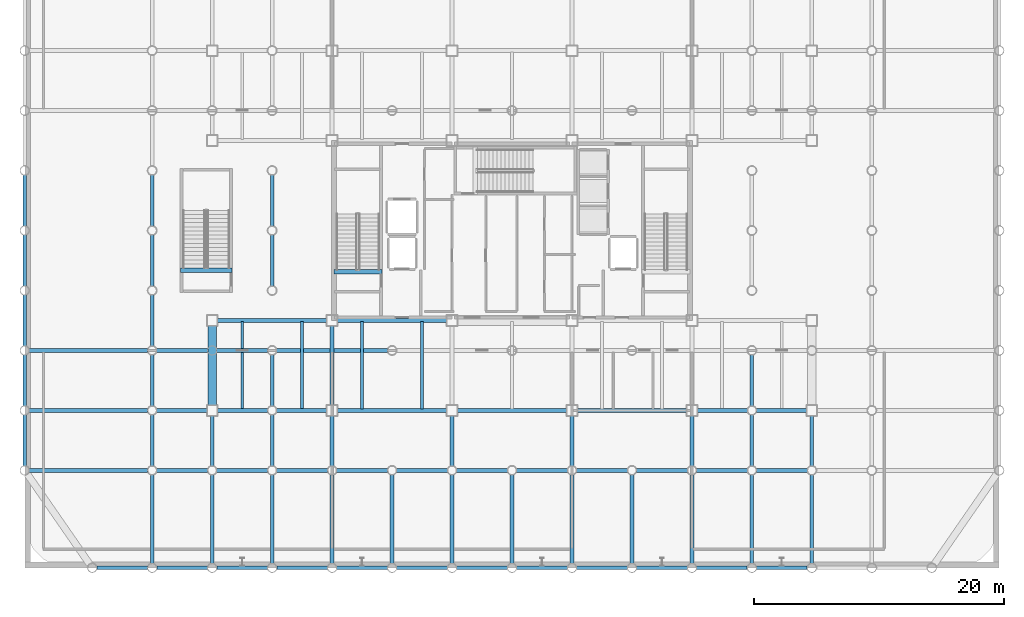
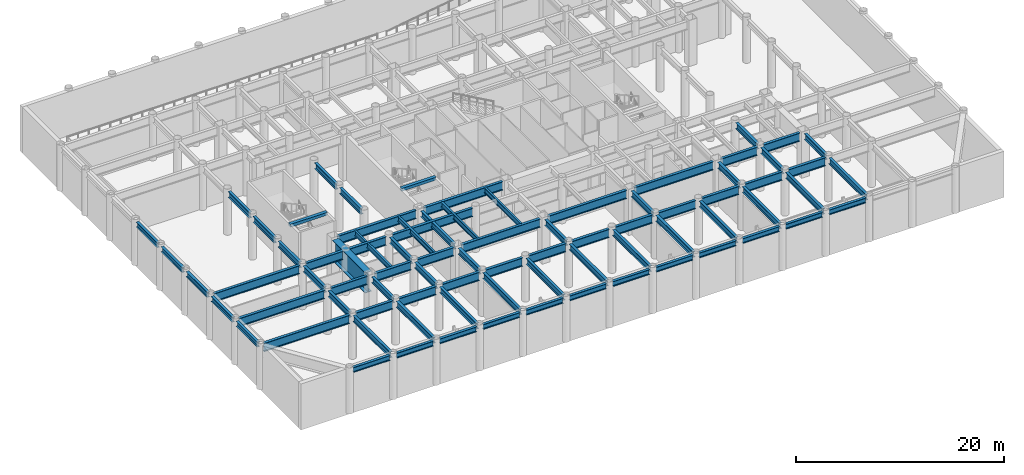
# One storey, part 5 of 16: 81 beams.
"""IFC4 building model written with IfcOpenShell, lengths in metres."""

from ifc_helpers import new_model, si_unit, direction, frame, origin, origin_2d, place, context, subcontext, project, spatial, rectangle, i_section, extrude, material, material_profile, profile_set, type_object, element, save


model = new_model("IFC4")

# Units and contexts
model_context = context("Model", 3, precision=1e-05, world=origin(), true_north=direction((0.0, 1.0)))
body_context = subcontext(model_context, "Body", "Model", "MODEL_VIEW")
ifc_project = project(units=[si_unit("LENGTHUNIT", "METRE"), si_unit("AREAUNIT", "SQUARE_METRE"), si_unit("VOLUMEUNIT", "CUBIC_METRE"), si_unit("PLANEANGLEUNIT", "RADIAN"), si_unit("MASSUNIT", "GRAM", prefix="KILO")], contexts=[model_context])

# Site, building, storey
site_placement = place(None, origin())
site = spatial("IfcSite", under=ifc_project, at=site_placement, CompositionType="ELEMENT")
building_placement = place(site_placement, origin())
building = spatial("IfcBuilding", under=site, at=building_placement, Name="Kallvorn Hotel Tower", CompositionType="ELEMENT")
storey_placement = place(building_placement, frame((0.0, 0.0, -5.39990234375)))
storey = spatial("IfcBuildingStorey", under=building, at=storey_placement, Name="B1", CompositionType="ELEMENT", Elevation=-5.39990234375)

# Beams
ifc_material_1 = material(Name="Structural steel S355JR", Category="steel")
ifc_material_profile_1 = material_profile(ifc_material_1, i_section(OverallWidth=0.300048828125, OverallDepth=1.0, WebThickness=0.01904296875, FlangeThickness=0.035888671875, at=origin_2d()), Name="HE 1000 B")
ifc_profile_set_1 = profile_set([ifc_material_profile_1], Name="Structural steel S355JR")
beam_type_1 = type_object("IfcBeamType", Name="BM_HE1000B", PredefinedType="BEAM", material=ifc_profile_set_1)
beam_1_placement = place(storey_placement, frame((-38.64404296875, -19.199951171875, 4.64990234375), z_axis=(1.0, 0.0, 0.0), x_axis=(0.0, 1.0, 0.0)))
element("IfcBeam", 1, at=beam_1_placement, inside=storey, type_object=beam_type_1, Name="L00 Primary X-Girder 03", PredefinedType="BEAM", context=body_context, shape_type="SweptSolid", body=[
    extrude(i_section(OverallWidth=0.300048828125, OverallDepth=1.0, WebThickness=0.01904296875, FlangeThickness=0.035888671875, at=origin_2d()), origin(), (0.0, 0.0, 1.0), 9.488037109375),
])
for number, where, z_axis, x_axis, name in (
    (2, (-28.444091796875, -19.199951171875, 4.64990234375), (1.0, 0.0, 0.0), (0.0, 1.0, 0.0), "L00 Primary X-Girder 04"),
    (3, (-23.64404296875, -19.199951171875, 4.64990234375), (1.0, 0.0, 0.0), (0.0, 1.0, 0.0), "L00 Primary X-Girder 05"),
):
    element("IfcBeam", number, at=place(storey_placement, frame(where, z_axis=z_axis, x_axis=x_axis)), inside=storey, type_object=beam_type_1, Name=name, PredefinedType="BEAM", context=body_context, shape_type="SweptSolid", body=[
        extrude(i_section(OverallWidth=0.300048828125, OverallDepth=1.0, WebThickness=0.01904296875, FlangeThickness=0.035888671875, at=origin_2d()), origin(), (0.0, 0.0, 1.0), 4.088134765625),
    ])
for number, where, z_axis, x_axis, name in (
    (4, (-18.843994140625, -19.199951171875, 4.64990234375), (1.0, 0.0, 0.0), (0.0, 1.0, 0.0), "L00 Primary X-Girder 06"),
    (5, (-14.0439453125, -19.199951171875, 4.64990234375), (1.0, 0.0, 0.0), (0.0, 1.0, 0.0), "L00 Primary X-Girder 07"),
    (6, (-9.243896484375, -19.199951171875, 4.64990234375), (1.0, 0.0, 0.0), (0.0, 1.0, 0.0), "L00 Primary X-Girder 08"),
):
    element("IfcBeam", number, at=place(storey_placement, frame(where, z_axis=z_axis, x_axis=x_axis)), inside=storey, type_object=beam_type_1, Name=name, PredefinedType="BEAM", context=body_context, shape_type="SweptSolid", body=[
        extrude(i_section(OverallWidth=0.300048828125, OverallDepth=1.0, WebThickness=0.01904296875, FlangeThickness=0.035888671875, at=origin_2d()), origin(), (0.0, 0.0, 1.0), 4.087890625),
    ])
for number, where, z_axis, x_axis, name in (
    (7, (-4.444091796875, -19.199951171875, 4.64990234375), (1.0, 0.0, 0.0), (0.0, 1.0, 0.0), "L00 Primary X-Girder 09"),
    (8, (0.35595703125, -19.199951171875, 4.64990234375), (1.0, 0.0, 0.0), (0.0, 1.0, 0.0), "L00 Primary X-Girder 10"),
):
    element("IfcBeam", number, at=place(storey_placement, frame(where, z_axis=z_axis, x_axis=x_axis)), inside=storey, type_object=beam_type_1, Name=name, PredefinedType="BEAM", context=body_context, shape_type="SweptSolid", body=[
        extrude(i_section(OverallWidth=0.300048828125, OverallDepth=1.0, WebThickness=0.01904296875, FlangeThickness=0.035888671875, at=origin_2d()), origin(), (0.0, 0.0, 1.0), 4.088134765625),
    ])
for number, where, z_axis, x_axis, name in (
    (9, (5.156005859375, -19.199951171875, 4.64990234375), (1.0, 0.0, 0.0), (0.0, 1.0, 0.0), "L00 Primary X-Girder 11"),
    (10, (9.9560546875, -19.199951171875, 4.64990234375), (1.0, 0.0, 0.0), (0.0, 1.0, 0.0), "L00 Primary X-Girder 12"),
    (11, (14.756103515625, -19.199951171875, 4.64990234375), (1.0, 0.0, 0.0), (0.0, 1.0, 0.0), "L00 Primary X-Girder 13"),
):
    element("IfcBeam", number, at=place(storey_placement, frame(where, z_axis=z_axis, x_axis=x_axis)), inside=storey, type_object=beam_type_1, Name=name, PredefinedType="BEAM", context=body_context, shape_type="SweptSolid", body=[
        extrude(i_section(OverallWidth=0.300048828125, OverallDepth=1.0, WebThickness=0.01904296875, FlangeThickness=0.035888671875, at=origin_2d()), origin(), (0.0, 0.0, 1.0), 4.087890625),
    ])
beam_2_placement = place(storey_placement, frame((19.555908203125, -19.199951171875, 4.64990234375), z_axis=(1.0, 0.0, 0.0), x_axis=(0.0, 1.0, 0.0)))
element("IfcBeam", 12, at=beam_2_placement, inside=storey, type_object=beam_type_1, Name="L00 Primary X-Girder 14", PredefinedType="BEAM", context=body_context, shape_type="SweptSolid", body=[
    extrude(i_section(OverallWidth=0.300048828125, OverallDepth=1.0, WebThickness=0.01904296875, FlangeThickness=0.035888671875, at=origin_2d()), origin(), (0.0, 0.0, 1.0), 4.088134765625),
])
beam_3_placement = place(storey_placement, frame((-38.64404296875, -14.39990234375, 4.64990234375), z_axis=(1.0, 0.0, 0.0), x_axis=(0.0, 1.0, 0.0)))
element("IfcBeam", 13, at=beam_3_placement, inside=storey, type_object=beam_type_1, Name="L00 Primary X-Girder 17", PredefinedType="BEAM", context=body_context, shape_type="SweptSolid", body=[
    extrude(i_section(OverallWidth=0.300048828125, OverallDepth=1.0, WebThickness=0.01904296875, FlangeThickness=0.035888671875, at=origin_2d()), origin(), (0.0, 0.0, 1.0), 9.488037109375),
])
for number, where, z_axis, x_axis, name in (
    (14, (-28.444091796875, -14.39990234375, 4.64990234375), (1.0, 0.0, 0.0), (0.0, 1.0, 0.0), "L00 Primary X-Girder 18"),
    (15, (-23.574951171875, -14.39990234375, 4.64990234375), (1.0, 0.0, 0.0), (0.0, 1.0, 0.0), "L00 Primary X-Girder 19"),
    (16, (-18.843994140625, -14.39990234375, 4.64990234375), (1.0, 0.0, 0.0), (0.0, 1.0, 0.0), "L00 Primary X-Girder 20"),
):
    element("IfcBeam", number, at=place(storey_placement, frame(where, z_axis=z_axis, x_axis=x_axis)), inside=storey, type_object=beam_type_1, Name=name, PredefinedType="BEAM", context=body_context, shape_type="SweptSolid", body=[
        extrude(i_section(OverallWidth=0.300048828125, OverallDepth=1.0, WebThickness=0.01904296875, FlangeThickness=0.035888671875, at=origin_2d()), origin(), (0.0, 0.0, 1.0), 4.01904296875),
    ])
for number, where, z_axis, x_axis, name in (
    (17, (-13.97509765625, -14.39990234375, 4.64990234375), (1.0, 0.0, 0.0), (0.0, 1.0, 0.0), "L00 Primary X-Girder 21"),
    (18, (-4.375, -14.39990234375, 4.64990234375), (1.0, 0.0, 0.0), (0.0, 1.0, 0.0), "L00 Primary X-Girder 22"),
    (19, (5.22509765625, -14.39990234375, 4.64990234375), (1.0, 0.0, 0.0), (0.0, 1.0, 0.0), "L00 Primary X-Girder 23"),
):
    element("IfcBeam", number, at=place(storey_placement, frame(where, z_axis=z_axis, x_axis=x_axis)), inside=storey, type_object=beam_type_1, Name=name, PredefinedType="BEAM", context=body_context, shape_type="SweptSolid", body=[
        extrude(i_section(OverallWidth=0.300048828125, OverallDepth=1.0, WebThickness=0.01904296875, FlangeThickness=0.035888671875, at=origin_2d()), origin(), (0.0, 0.0, 1.0), 8.75),
    ])
for number, where, z_axis, x_axis, name in (
    (20, (14.824951171875, -14.39990234375, 4.64990234375), (1.0, 0.0, 0.0), (0.0, 1.0, 0.0), "L00 Primary X-Girder 24"),
    (21, (19.555908203125, -14.39990234375, 4.64990234375), (1.0, 0.0, 0.0), (0.0, 1.0, 0.0), "L00 Primary X-Girder 25"),
):
    element("IfcBeam", number, at=place(storey_placement, frame(where, z_axis=z_axis, x_axis=x_axis)), inside=storey, type_object=beam_type_1, Name=name, PredefinedType="BEAM", context=body_context, shape_type="SweptSolid", body=[
        extrude(i_section(OverallWidth=0.300048828125, OverallDepth=1.0, WebThickness=0.01904296875, FlangeThickness=0.035888671875, at=origin_2d()), origin(), (0.0, 0.0, 1.0), 4.01904296875),
    ])
beam_4_placement = place(storey_placement, frame((-38.64404296875, -9.60009765625, 4.64990234375), z_axis=(1.0, 0.0, 0.0), x_axis=(0.0, 1.0, 0.0)))
element("IfcBeam", 22, at=beam_4_placement, inside=storey, type_object=beam_type_1, Name="L00 Primary X-Girder 28", PredefinedType="BEAM", context=body_context, shape_type="SweptSolid", body=[
    extrude(i_section(OverallWidth=0.300048828125, OverallDepth=1.0, WebThickness=0.01904296875, FlangeThickness=0.035888671875, at=origin_2d()), origin(), (0.0, 0.0, 1.0), 9.488037109375),
])
for number, where, z_axis, x_axis, name in (
    (23, (-28.444091796875, -9.60009765625, 4.64990234375), (1.0, 0.0, 0.0), (0.0, 1.0, 0.0), "L00 Primary X-Girder 29"),
    (24, (-23.64404296875, -9.60009765625, 4.64990234375), (1.0, 0.0, 0.0), (0.0, 1.0, 0.0), "L00 Primary X-Girder 30"),
):
    element("IfcBeam", number, at=place(storey_placement, frame(where, z_axis=z_axis, x_axis=x_axis)), inside=storey, type_object=beam_type_1, Name=name, PredefinedType="BEAM", context=body_context, shape_type="SweptSolid", body=[
        extrude(i_section(OverallWidth=0.300048828125, OverallDepth=1.0, WebThickness=0.01904296875, FlangeThickness=0.035888671875, at=origin_2d()), origin(), (0.0, 0.0, 1.0), 4.088134765625),
    ])
beam_5_placement = place(storey_placement, frame((-18.843994140625, -9.60009765625, 4.64990234375), z_axis=(1.0, 0.0, 0.0), x_axis=(0.0, 1.0, 0.0)))
element("IfcBeam", 25, at=beam_5_placement, inside=storey, type_object=beam_type_1, Name="L00 Primary X-Girder 31", PredefinedType="BEAM", context=body_context, shape_type="SweptSolid", body=[
    extrude(i_section(OverallWidth=0.300048828125, OverallDepth=1.0, WebThickness=0.01904296875, FlangeThickness=0.035888671875, at=origin_2d()), origin(), (0.0, 0.0, 1.0), 8.887939453125),
])
for number, where, z_axis, x_axis, name in (
    (26, (-23.574951171875, -7.199951171875, 4.64990234375), (1.0, 0.0, 0.0), (0.0, 1.0, 0.0), "L00 Primary X-Girder 38"),
    (27, (-13.97509765625, -7.199951171875, 4.64990234375), (1.0, 0.0, 0.0), (0.0, 1.0, 0.0), "L00 Primary X-Girder 39"),
):
    element("IfcBeam", number, at=place(storey_placement, frame(where, z_axis=z_axis, x_axis=x_axis)), inside=storey, type_object=beam_type_1, Name=name, PredefinedType="BEAM", context=body_context, shape_type="SweptSolid", body=[
        extrude(i_section(OverallWidth=0.300048828125, OverallDepth=1.0, WebThickness=0.01904296875, FlangeThickness=0.035888671875, at=origin_2d()), origin(), (0.0, 0.0, 1.0), 8.75),
    ])
ifc_material_2 = material(Name="Structural steel S355JR", Category="steel")
ifc_material_profile_2 = material_profile(ifc_material_2, i_section(OverallWidth=0.300048828125, OverallDepth=0.60009765625, WebThickness=0.015380859375, FlangeThickness=0.030029296875, at=origin_2d()), Name="HE 600 B")
ifc_profile_set_2 = profile_set([ifc_material_profile_2], Name="Structural steel S355JR")
beam_type_2 = type_object("IfcBeamType", Name="BM_HE600B", PredefinedType="SPANDREL", material=ifc_profile_set_2)
beam_6_placement = place(storey_placement, frame((-33.22900390625, -27.0, 4.849853515625), z_axis=(1.0, 0.0, 0.0), x_axis=(0.0, 1.0, 0.0)))
element("IfcBeam", 28, at=beam_6_placement, inside=storey, type_object=beam_type_2, Name="L00 Perimeter Spandrel 174", PredefinedType="SPANDREL", context=body_context, shape_type="SweptSolid", body=[
    extrude(i_section(OverallWidth=0.300048828125, OverallDepth=0.60009765625, WebThickness=0.015380859375, FlangeThickness=0.030029296875, at=origin_2d()), origin(), (0.0, 0.0, 1.0), 4.05810546875),
])
for number, where, z_axis, x_axis, name in (
    (29, (-28.428955078125, -27.0, 4.849853515625), (1.0, 0.0, 0.0), (0.0, 1.0, 0.0), "L00 Perimeter Spandrel 175"),
    (30, (-23.62890625, -27.0, 4.849853515625), (1.0, 0.0, 0.0), (0.0, 1.0, 0.0), "L00 Perimeter Spandrel 176"),
):
    element("IfcBeam", number, at=place(storey_placement, frame(where, z_axis=z_axis, x_axis=x_axis)), inside=storey, type_object=beam_type_2, Name=name, PredefinedType="SPANDREL", context=body_context, shape_type="SweptSolid", body=[
        extrude(i_section(OverallWidth=0.300048828125, OverallDepth=0.60009765625, WebThickness=0.015380859375, FlangeThickness=0.030029296875, at=origin_2d()), origin(), (0.0, 0.0, 1.0), 4.057861328125),
    ])
for number, where, z_axis, x_axis, name in (
    (31, (-18.8291015625, -27.0, 4.849853515625), (1.0, 0.0, 0.0), (0.0, 1.0, 0.0), "L00 Perimeter Spandrel 177"),
    (32, (-14.029052734375, -27.0, 4.849853515625), (1.0, 0.0, 0.0), (0.0, 1.0, 0.0), "L00 Perimeter Spandrel 178"),
    (33, (-9.22900390625, -27.0, 4.849853515625), (1.0, 0.0, 0.0), (0.0, 1.0, 0.0), "L00 Perimeter Spandrel 179"),
):
    element("IfcBeam", number, at=place(storey_placement, frame(where, z_axis=z_axis, x_axis=x_axis)), inside=storey, type_object=beam_type_2, Name=name, PredefinedType="SPANDREL", context=body_context, shape_type="SweptSolid", body=[
        extrude(i_section(OverallWidth=0.300048828125, OverallDepth=0.60009765625, WebThickness=0.015380859375, FlangeThickness=0.030029296875, at=origin_2d()), origin(), (0.0, 0.0, 1.0), 4.05810546875),
    ])
for number, where, z_axis, x_axis, name in (
    (34, (-4.428955078125, -27.0, 4.849853515625), (1.0, 0.0, 0.0), (0.0, 1.0, 0.0), "L00 Perimeter Spandrel 180"),
    (35, (0.37109375, -27.0, 4.849853515625), (1.0, 0.0, 0.0), (0.0, 1.0, 0.0), "L00 Perimeter Spandrel 181"),
):
    element("IfcBeam", number, at=place(storey_placement, frame(where, z_axis=z_axis, x_axis=x_axis)), inside=storey, type_object=beam_type_2, Name=name, PredefinedType="SPANDREL", context=body_context, shape_type="SweptSolid", body=[
        extrude(i_section(OverallWidth=0.300048828125, OverallDepth=0.60009765625, WebThickness=0.015380859375, FlangeThickness=0.030029296875, at=origin_2d()), origin(), (0.0, 0.0, 1.0), 4.057861328125),
    ])
for number, where, z_axis, x_axis, name in (
    (36, (5.1708984375, -27.0, 4.849853515625), (1.0, 0.0, 0.0), (0.0, 1.0, 0.0), "L00 Perimeter Spandrel 182"),
    (37, (9.970947265625, -27.0, 4.849853515625), (1.0, 0.0, 0.0), (0.0, 1.0, 0.0), "L00 Perimeter Spandrel 183"),
    (38, (14.77099609375, -27.0, 4.849853515625), (1.0, 0.0, 0.0), (0.0, 1.0, 0.0), "L00 Perimeter Spandrel 184"),
):
    element("IfcBeam", number, at=place(storey_placement, frame(where, z_axis=z_axis, x_axis=x_axis)), inside=storey, type_object=beam_type_2, Name=name, PredefinedType="SPANDREL", context=body_context, shape_type="SweptSolid", body=[
        extrude(i_section(OverallWidth=0.300048828125, OverallDepth=0.60009765625, WebThickness=0.015380859375, FlangeThickness=0.030029296875, at=origin_2d()), origin(), (0.0, 0.0, 1.0), 4.05810546875),
    ])
beam_7_placement = place(storey_placement, frame((19.571044921875, -27.0, 4.849853515625), z_axis=(1.0, 0.0, 0.0), x_axis=(0.0, 1.0, 0.0)))
element("IfcBeam", 39, at=beam_7_placement, inside=storey, type_object=beam_type_2, Name="L00 Perimeter Spandrel 185", PredefinedType="SPANDREL", context=body_context, shape_type="SweptSolid", body=[
    extrude(i_section(OverallWidth=0.300048828125, OverallDepth=0.60009765625, WebThickness=0.015380859375, FlangeThickness=0.030029296875, at=origin_2d()), origin(), (0.0, 0.0, 1.0), 4.057861328125),
])
for number, where, z_axis, x_axis, name in (
    (40, (-39.0, -18.8291015625, 4.849853515625), (0.0, 1.0, 0.0), (-1.0, 0.0, 0.0), "L00 Perimeter Spandrel 202"),
    (41, (-39.0, -14.029052734375, 4.849853515625), (0.0, 1.0, 0.0), (-1.0, 0.0, 0.0), "L00 Perimeter Spandrel 203"),
    (42, (-39.0, -9.22900390625, 4.849853515625), (0.0, 1.0, 0.0), (-1.0, 0.0, 0.0), "L00 Perimeter Spandrel 204"),
):
    element("IfcBeam", number, at=place(storey_placement, frame(where, z_axis=z_axis, x_axis=x_axis)), inside=storey, type_object=beam_type_2, Name=name, PredefinedType="SPANDREL", context=body_context, shape_type="SweptSolid", body=[
        extrude(i_section(OverallWidth=0.300048828125, OverallDepth=0.60009765625, WebThickness=0.015380859375, FlangeThickness=0.030029296875, at=origin_2d()), origin(), (0.0, 0.0, 1.0), 4.05810546875),
    ])
for number, where, z_axis, x_axis, name in (
    (43, (-39.0, -4.428955078125, 4.849853515625), (0.0, 1.0, 0.0), (-1.0, 0.0, 0.0), "L00 Perimeter Spandrel 205"),
    (44, (-39.0, 0.37109375, 4.849853515625), (0.0, 1.0, 0.0), (-1.0, 0.0, 0.0), "L00 Perimeter Spandrel 206"),
):
    element("IfcBeam", number, at=place(storey_placement, frame(where, z_axis=z_axis, x_axis=x_axis)), inside=storey, type_object=beam_type_2, Name=name, PredefinedType="SPANDREL", context=body_context, shape_type="SweptSolid", body=[
        extrude(i_section(OverallWidth=0.300048828125, OverallDepth=0.60009765625, WebThickness=0.015380859375, FlangeThickness=0.030029296875, at=origin_2d()), origin(), (0.0, 0.0, 1.0), 4.057861328125),
    ])
ifc_material_3 = material(Name="Structural steel S355JR", Category="steel")
ifc_material_profile_3 = material_profile(ifc_material_3, i_section(OverallWidth=0.300048828125, OverallDepth=0.699951171875, WebThickness=0.01708984375, FlangeThickness=0.031982421875, at=origin_2d()), Name="HE 700 B")
ifc_profile_set_3 = profile_set([ifc_material_profile_3], Name="Structural steel S355JR")
beam_type_3 = type_object("IfcBeamType", Name="BM_HE700B", PredefinedType="BEAM", material=ifc_profile_set_3)
beam_8_placement = place(storey_placement, frame((-28.800048828125, -26.64404296875, 4.7998046875), z_axis=(0.0, 1.0, 0.0), x_axis=(-1.0, 0.0, 0.0)))
element("IfcBeam", 45, at=beam_8_placement, inside=storey, type_object=beam_type_3, Name="L00 Primary Y-Girder 82", PredefinedType="BEAM", context=body_context, shape_type="SweptSolid", body=[
    extrude(i_section(OverallWidth=0.300048828125, OverallDepth=0.699951171875, WebThickness=0.01708984375, FlangeThickness=0.031982421875, at=origin_2d()), origin(), (0.0, 0.0, 1.0), 7.088134765625),
])
for number, where, z_axis, x_axis, name in (
    (46, (-28.800048828125, -18.843994140625, 4.7998046875), (0.0, 1.0, 0.0), (-1.0, 0.0, 0.0), "L00 Primary Y-Girder 83"),
    (47, (-28.800048828125, -14.0439453125, 4.7998046875), (0.0, 1.0, 0.0), (-1.0, 0.0, 0.0), "L00 Primary Y-Girder 84"),
    (48, (-28.800048828125, -9.243896484375, 4.7998046875), (0.0, 1.0, 0.0), (-1.0, 0.0, 0.0), "L00 Primary Y-Girder 85"),
):
    element("IfcBeam", number, at=place(storey_placement, frame(where, z_axis=z_axis, x_axis=x_axis)), inside=storey, type_object=beam_type_3, Name=name, PredefinedType="BEAM", context=body_context, shape_type="SweptSolid", body=[
        extrude(i_section(OverallWidth=0.300048828125, OverallDepth=0.699951171875, WebThickness=0.01708984375, FlangeThickness=0.031982421875, at=origin_2d()), origin(), (0.0, 0.0, 1.0), 4.087890625),
    ])
for number, where, z_axis, x_axis, name in (
    (49, (-28.800048828125, -4.444091796875, 4.7998046875), (0.0, 1.0, 0.0), (-1.0, 0.0, 0.0), "L00 Primary Y-Girder 86"),
    (50, (-28.800048828125, 0.35595703125, 4.7998046875), (0.0, 1.0, 0.0), (-1.0, 0.0, 0.0), "L00 Primary Y-Girder 87"),
):
    element("IfcBeam", number, at=place(storey_placement, frame(where, z_axis=z_axis, x_axis=x_axis)), inside=storey, type_object=beam_type_3, Name=name, PredefinedType="BEAM", context=body_context, shape_type="SweptSolid", body=[
        extrude(i_section(OverallWidth=0.300048828125, OverallDepth=0.699951171875, WebThickness=0.01708984375, FlangeThickness=0.031982421875, at=origin_2d()), origin(), (0.0, 0.0, 1.0), 4.088134765625),
    ])
beam_9_placement = place(storey_placement, frame((-24.0, -26.64404296875, 4.7998046875), z_axis=(0.0, 1.0, 0.0), x_axis=(-1.0, 0.0, 0.0)))
element("IfcBeam", 51, at=beam_9_placement, inside=storey, type_object=beam_type_3, Name="L00 Primary Y-Girder 92", PredefinedType="BEAM", context=body_context, shape_type="SweptSolid", body=[
    extrude(i_section(OverallWidth=0.300048828125, OverallDepth=0.699951171875, WebThickness=0.01708984375, FlangeThickness=0.031982421875, at=origin_2d()), origin(), (0.0, 0.0, 1.0), 7.088134765625),
])
beam_10_placement = place(storey_placement, frame((-24.0, -18.843994140625, 4.7998046875), z_axis=(0.0, 1.0, 0.0), x_axis=(-1.0, 0.0, 0.0)))
element("IfcBeam", 52, at=beam_10_placement, inside=storey, type_object=beam_type_3, Name="L00 Primary Y-Girder 93", PredefinedType="BEAM", context=body_context, shape_type="SweptSolid", body=[
    extrude(i_section(OverallWidth=0.300048828125, OverallDepth=0.699951171875, WebThickness=0.01708984375, FlangeThickness=0.031982421875, at=origin_2d()), origin(), (0.0, 0.0, 1.0), 4.01904296875),
])
beam_11_placement = place(storey_placement, frame((-19.199951171875, -26.64404296875, 4.7998046875), z_axis=(0.0, 1.0, 0.0), x_axis=(-1.0, 0.0, 0.0)))
element("IfcBeam", 53, at=beam_11_placement, inside=storey, type_object=beam_type_3, Name="L00 Primary Y-Girder 100", PredefinedType="BEAM", context=body_context, shape_type="SweptSolid", body=[
    extrude(i_section(OverallWidth=0.300048828125, OverallDepth=0.699951171875, WebThickness=0.01708984375, FlangeThickness=0.031982421875, at=origin_2d()), origin(), (0.0, 0.0, 1.0), 7.088134765625),
])
for number, where, z_axis, x_axis, name in (
    (54, (-19.199951171875, -18.843994140625, 4.7998046875), (0.0, 1.0, 0.0), (-1.0, 0.0, 0.0), "L00 Primary Y-Girder 101"),
    (55, (-19.199951171875, -14.0439453125, 4.7998046875), (0.0, 1.0, 0.0), (-1.0, 0.0, 0.0), "L00 Primary Y-Girder 102"),
):
    element("IfcBeam", number, at=place(storey_placement, frame(where, z_axis=z_axis, x_axis=x_axis)), inside=storey, type_object=beam_type_3, Name=name, PredefinedType="BEAM", context=body_context, shape_type="SweptSolid", body=[
        extrude(i_section(OverallWidth=0.300048828125, OverallDepth=0.699951171875, WebThickness=0.01708984375, FlangeThickness=0.031982421875, at=origin_2d()), origin(), (0.0, 0.0, 1.0), 4.087890625),
    ])
for number, where, z_axis, x_axis, name in (
    (56, (-19.199951171875, -4.444091796875, 4.7998046875), (0.0, 1.0, 0.0), (-1.0, 0.0, 0.0), "L00 Primary Y-Girder 104"),
    (57, (-19.199951171875, 0.35595703125, 4.7998046875), (0.0, 1.0, 0.0), (-1.0, 0.0, 0.0), "L00 Primary Y-Girder 105"),
):
    element("IfcBeam", number, at=place(storey_placement, frame(where, z_axis=z_axis, x_axis=x_axis)), inside=storey, type_object=beam_type_3, Name=name, PredefinedType="BEAM", context=body_context, shape_type="SweptSolid", body=[
        extrude(i_section(OverallWidth=0.300048828125, OverallDepth=0.699951171875, WebThickness=0.01708984375, FlangeThickness=0.031982421875, at=origin_2d()), origin(), (0.0, 0.0, 1.0), 4.088134765625),
    ])
beam_12_placement = place(storey_placement, frame((-14.39990234375, -26.64404296875, 4.7998046875), z_axis=(0.0, 1.0, 0.0), x_axis=(-1.0, 0.0, 0.0)))
element("IfcBeam", 58, at=beam_12_placement, inside=storey, type_object=beam_type_3, Name="L00 Primary Y-Girder 110", PredefinedType="BEAM", context=body_context, shape_type="SweptSolid", body=[
    extrude(i_section(OverallWidth=0.300048828125, OverallDepth=0.699951171875, WebThickness=0.01708984375, FlangeThickness=0.031982421875, at=origin_2d()), origin(), (0.0, 0.0, 1.0), 7.088134765625),
])
beam_13_placement = place(storey_placement, frame((-14.39990234375, -18.843994140625, 4.7998046875), z_axis=(0.0, 1.0, 0.0), x_axis=(-1.0, 0.0, 0.0)))
element("IfcBeam", 59, at=beam_13_placement, inside=storey, type_object=beam_type_3, Name="L00 Primary Y-Girder 111", PredefinedType="BEAM", context=body_context, shape_type="SweptSolid", body=[
    extrude(i_section(OverallWidth=0.300048828125, OverallDepth=0.699951171875, WebThickness=0.01708984375, FlangeThickness=0.031982421875, at=origin_2d()), origin(), (0.0, 0.0, 1.0), 4.01904296875),
])
beam_14_placement = place(storey_placement, frame((-14.39990234375, -13.97509765625, 4.7998046875), z_axis=(0.0, 1.0, 0.0), x_axis=(-1.0, 0.0, 0.0)))
element("IfcBeam", 60, at=beam_14_placement, inside=storey, type_object=beam_type_3, Name="L00 Primary Y-Girder 112", PredefinedType="BEAM", context=body_context, shape_type="SweptSolid", body=[
    extrude(i_section(OverallWidth=0.300048828125, OverallDepth=0.699951171875, WebThickness=0.01708984375, FlangeThickness=0.031982421875, at=origin_2d()), origin(), (0.0, 0.0, 1.0), 6.35009765625),
])
for number, where, z_axis, x_axis, name in (
    (61, (-9.60009765625, -26.64404296875, 4.7998046875), (0.0, 1.0, 0.0), (-1.0, 0.0, 0.0), "L00 Primary Y-Girder 116"),
    (62, (-4.800048828125, -26.64404296875, 4.7998046875), (0.0, 1.0, 0.0), (-1.0, 0.0, 0.0), "L00 Primary Y-Girder 120"),
):
    element("IfcBeam", number, at=place(storey_placement, frame(where, z_axis=z_axis, x_axis=x_axis)), inside=storey, type_object=beam_type_3, Name=name, PredefinedType="BEAM", context=body_context, shape_type="SweptSolid", body=[
        extrude(i_section(OverallWidth=0.300048828125, OverallDepth=0.699951171875, WebThickness=0.01708984375, FlangeThickness=0.031982421875, at=origin_2d()), origin(), (0.0, 0.0, 1.0), 7.088134765625),
    ])
beam_15_placement = place(storey_placement, frame((-4.800048828125, -18.843994140625, 4.7998046875), z_axis=(0.0, 1.0, 0.0), x_axis=(-1.0, 0.0, 0.0)))
element("IfcBeam", 63, at=beam_15_placement, inside=storey, type_object=beam_type_3, Name="L00 Primary Y-Girder 121", PredefinedType="BEAM", context=body_context, shape_type="SweptSolid", body=[
    extrude(i_section(OverallWidth=0.300048828125, OverallDepth=0.699951171875, WebThickness=0.01708984375, FlangeThickness=0.031982421875, at=origin_2d()), origin(), (0.0, 0.0, 1.0), 4.01904296875),
])
for number, where, z_axis, x_axis, name in (
    (64, (0.0, -26.64404296875, 4.7998046875), (0.0, 1.0, 0.0), (-1.0, 0.0, 0.0), "L00 Primary Y-Girder 126"),
    (65, (4.800048828125, -26.64404296875, 4.7998046875), (0.0, 1.0, 0.0), (-1.0, 0.0, 0.0), "L00 Primary Y-Girder 130"),
):
    element("IfcBeam", number, at=place(storey_placement, frame(where, z_axis=z_axis, x_axis=x_axis)), inside=storey, type_object=beam_type_3, Name=name, PredefinedType="BEAM", context=body_context, shape_type="SweptSolid", body=[
        extrude(i_section(OverallWidth=0.300048828125, OverallDepth=0.699951171875, WebThickness=0.01708984375, FlangeThickness=0.031982421875, at=origin_2d()), origin(), (0.0, 0.0, 1.0), 7.088134765625),
    ])
beam_16_placement = place(storey_placement, frame((4.800048828125, -18.843994140625, 4.7998046875), z_axis=(0.0, 1.0, 0.0), x_axis=(-1.0, 0.0, 0.0)))
element("IfcBeam", 66, at=beam_16_placement, inside=storey, type_object=beam_type_3, Name="L00 Primary Y-Girder 131", PredefinedType="BEAM", context=body_context, shape_type="SweptSolid", body=[
    extrude(i_section(OverallWidth=0.300048828125, OverallDepth=0.699951171875, WebThickness=0.01708984375, FlangeThickness=0.031982421875, at=origin_2d()), origin(), (0.0, 0.0, 1.0), 4.01904296875),
])
for number, where, z_axis, x_axis, name in (
    (67, (9.60009765625, -26.64404296875, 4.7998046875), (0.0, 1.0, 0.0), (-1.0, 0.0, 0.0), "L00 Primary Y-Girder 136"),
    (68, (14.39990234375, -26.64404296875, 4.7998046875), (0.0, 1.0, 0.0), (-1.0, 0.0, 0.0), "L00 Primary Y-Girder 140"),
):
    element("IfcBeam", number, at=place(storey_placement, frame(where, z_axis=z_axis, x_axis=x_axis)), inside=storey, type_object=beam_type_3, Name=name, PredefinedType="BEAM", context=body_context, shape_type="SweptSolid", body=[
        extrude(i_section(OverallWidth=0.300048828125, OverallDepth=0.699951171875, WebThickness=0.01708984375, FlangeThickness=0.031982421875, at=origin_2d()), origin(), (0.0, 0.0, 1.0), 7.088134765625),
    ])
beam_17_placement = place(storey_placement, frame((14.39990234375, -18.843994140625, 4.7998046875), z_axis=(0.0, 1.0, 0.0), x_axis=(-1.0, 0.0, 0.0)))
element("IfcBeam", 69, at=beam_17_placement, inside=storey, type_object=beam_type_3, Name="L00 Primary Y-Girder 141", PredefinedType="BEAM", context=body_context, shape_type="SweptSolid", body=[
    extrude(i_section(OverallWidth=0.300048828125, OverallDepth=0.699951171875, WebThickness=0.01708984375, FlangeThickness=0.031982421875, at=origin_2d()), origin(), (0.0, 0.0, 1.0), 4.01904296875),
])
beam_18_placement = place(storey_placement, frame((19.199951171875, -26.64404296875, 4.7998046875), z_axis=(0.0, 1.0, 0.0), x_axis=(-1.0, 0.0, 0.0)))
element("IfcBeam", 70, at=beam_18_placement, inside=storey, type_object=beam_type_3, Name="L00 Primary Y-Girder 146", PredefinedType="BEAM", context=body_context, shape_type="SweptSolid", body=[
    extrude(i_section(OverallWidth=0.300048828125, OverallDepth=0.699951171875, WebThickness=0.01708984375, FlangeThickness=0.031982421875, at=origin_2d()), origin(), (0.0, 0.0, 1.0), 7.088134765625),
])
for number, where, z_axis, x_axis, name in (
    (71, (19.199951171875, -18.843994140625, 4.7998046875), (0.0, 1.0, 0.0), (-1.0, 0.0, 0.0), "L00 Primary Y-Girder 147"),
    (72, (19.199951171875, -14.0439453125, 4.7998046875), (0.0, 1.0, 0.0), (-1.0, 0.0, 0.0), "L00 Primary Y-Girder 148"),
):
    element("IfcBeam", number, at=place(storey_placement, frame(where, z_axis=z_axis, x_axis=x_axis)), inside=storey, type_object=beam_type_3, Name=name, PredefinedType="BEAM", context=body_context, shape_type="SweptSolid", body=[
        extrude(i_section(OverallWidth=0.300048828125, OverallDepth=0.699951171875, WebThickness=0.01708984375, FlangeThickness=0.031982421875, at=origin_2d()), origin(), (0.0, 0.0, 1.0), 4.087890625),
    ])
beam_19_placement = place(storey_placement, frame((24.0, -26.64404296875, 4.7998046875), z_axis=(0.0, 1.0, 0.0), x_axis=(-1.0, 0.0, 0.0)))
element("IfcBeam", 73, at=beam_19_placement, inside=storey, type_object=beam_type_3, Name="L00 Primary Y-Girder 156", PredefinedType="BEAM", context=body_context, shape_type="SweptSolid", body=[
    extrude(i_section(OverallWidth=0.300048828125, OverallDepth=0.699951171875, WebThickness=0.01708984375, FlangeThickness=0.031982421875, at=origin_2d()), origin(), (0.0, 0.0, 1.0), 7.088134765625),
])
beam_20_placement = place(storey_placement, frame((24.0, -18.843994140625, 4.7998046875), z_axis=(0.0, 1.0, 0.0), x_axis=(-1.0, 0.0, 0.0)))
element("IfcBeam", 74, at=beam_20_placement, inside=storey, type_object=beam_type_3, Name="L00 Primary Y-Girder 157", PredefinedType="BEAM", context=body_context, shape_type="SweptSolid", body=[
    extrude(i_section(OverallWidth=0.300048828125, OverallDepth=0.699951171875, WebThickness=0.01708984375, FlangeThickness=0.031982421875, at=origin_2d()), origin(), (0.0, 0.0, 1.0), 4.01904296875),
])
ifc_material_4 = material(Name="Structural steel S355JR", Category="steel")
ifc_material_profile_4 = material_profile(ifc_material_4, i_section(OverallWidth=0.219970703125, OverallDepth=0.60009765625, WebThickness=0.011962890625, FlangeThickness=0.01904296875, at=origin_2d()), Name="IPE 600")
ifc_profile_set_4 = profile_set([ifc_material_profile_4], Name="Structural steel S355JR")
beam_type_4 = type_object("IfcBeamType", Name="BM_IPE600", PredefinedType="JOIST", material=ifc_profile_set_4)
for number, where, z_axis, x_axis, name in (
    (75, (-21.60009765625, -14.300048828125, 4.849853515625), (0.0, 1.0, 0.0), (-1.0, 0.0, 0.0), "L00 Secondary Composite Joist 222"),
    (76, (-16.800048828125, -14.300048828125, 4.849853515625), (0.0, 1.0, 0.0), (-1.0, 0.0, 0.0), "L00 Secondary Composite Joist 224"),
    (77, (-12.0, -14.300048828125, 4.849853515625), (0.0, 1.0, 0.0), (-1.0, 0.0, 0.0), "L00 Secondary Composite Joist 226"),
    (78, (-7.199951171875, -14.300048828125, 4.849853515625), (0.0, 1.0, 0.0), (-1.0, 0.0, 0.0), "L00 Secondary Composite Joist 228"),
):
    element("IfcBeam", number, at=place(storey_placement, frame(where, z_axis=z_axis, x_axis=x_axis)), inside=storey, type_object=beam_type_4, Name=name, PredefinedType="JOIST", context=body_context, shape_type="SweptSolid", body=[
        extrude(i_section(OverallWidth=0.219970703125, OverallDepth=0.60009765625, WebThickness=0.011962890625, FlangeThickness=0.01904296875, at=origin_2d()), origin(), (0.0, 0.0, 1.0), 7.0),
    ])
ifc_material_5 = material(Name="Structural steel S355JR", Category="steel")
ifc_material_profile_5 = material_profile(ifc_material_5, i_section(OverallWidth=0.699951171875, OverallDepth=2.39990234375, WebThickness=0.031982421875, FlangeThickness=0.06005859375, at=origin_2d()), Name="PG 2400x700x32x60")
ifc_profile_set_5 = profile_set([ifc_material_profile_5], Name="Structural steel S355JR")
beam_type_5 = type_object("IfcBeamType", Name="BM_PG_2400", PredefinedType="BEAM", material=ifc_profile_set_5)
beam_21_placement = place(storey_placement, frame((-24.0, -13.9599609375, 3.949951171875), z_axis=(0.0, 1.0, 0.0), x_axis=(-1.0, 0.0, 0.0)))
element("IfcBeam", 79, at=beam_21_placement, inside=storey, type_object=beam_type_5, Name="L00 Heavy Portal Girder W", PredefinedType="BEAM", context=body_context, shape_type="SweptSolid", body=[
    extrude(i_section(OverallWidth=0.699951171875, OverallDepth=2.39990234375, WebThickness=0.031982421875, FlangeThickness=0.06005859375, at=origin_2d()), origin(), (0.0, 0.0, 1.0), 6.320068359375),
])
ifc_material_6 = material(Name="Concrete C50/60", Category="concrete")
ifc_material_profile_6 = material_profile(ifc_material_6, rectangle(XDim=0.360107421875, YDim=0.340087890625, at=origin_2d()), Name="RC 360x340")
ifc_profile_set_6 = profile_set([ifc_material_profile_6], Name="Concrete C50/60")
beam_type_6 = type_object("IfcBeamType", Name="BM_RC_400x360", PredefinedType="BEAM", material=ifc_profile_set_6)
beam_22_placement = place(storey_placement, frame((-10.419921875, -3.31005859375, 4.97998046875), z_axis=(-1.0, 0.0, 0.0), x_axis=(0.0, -1.0, 0.0)))
element("IfcBeam", 80, at=beam_22_placement, inside=storey, type_object=beam_type_6, Name="L00 Stair ST1 Arrival Trimmer Beam", PredefinedType="BEAM", context=body_context, shape_type="SweptSolid", body=[
    extrude(rectangle(XDim=0.360107421875, YDim=0.340087890625, at=origin_2d()), origin(), (0.0, 0.0, 1.0), 3.820068359375),
])
beam_23_placement = place(storey_placement, frame((-22.419921875, -3.169921875, 4.97998046875), z_axis=(-1.0, 0.0, 0.0), x_axis=(0.0, -1.0, 0.0)))
element("IfcBeam", 81, at=beam_23_placement, inside=storey, type_object=beam_type_6, Name="L00 Stair ST4 Arrival Trimmer Beam", PredefinedType="BEAM", context=body_context, shape_type="SweptSolid", body=[
    extrude(rectangle(XDim=0.360107421875, YDim=0.340087890625, at=origin_2d()), origin(), (0.0, 0.0, 1.0), 4.10009765625),
])

save(model, "model.ifc")
